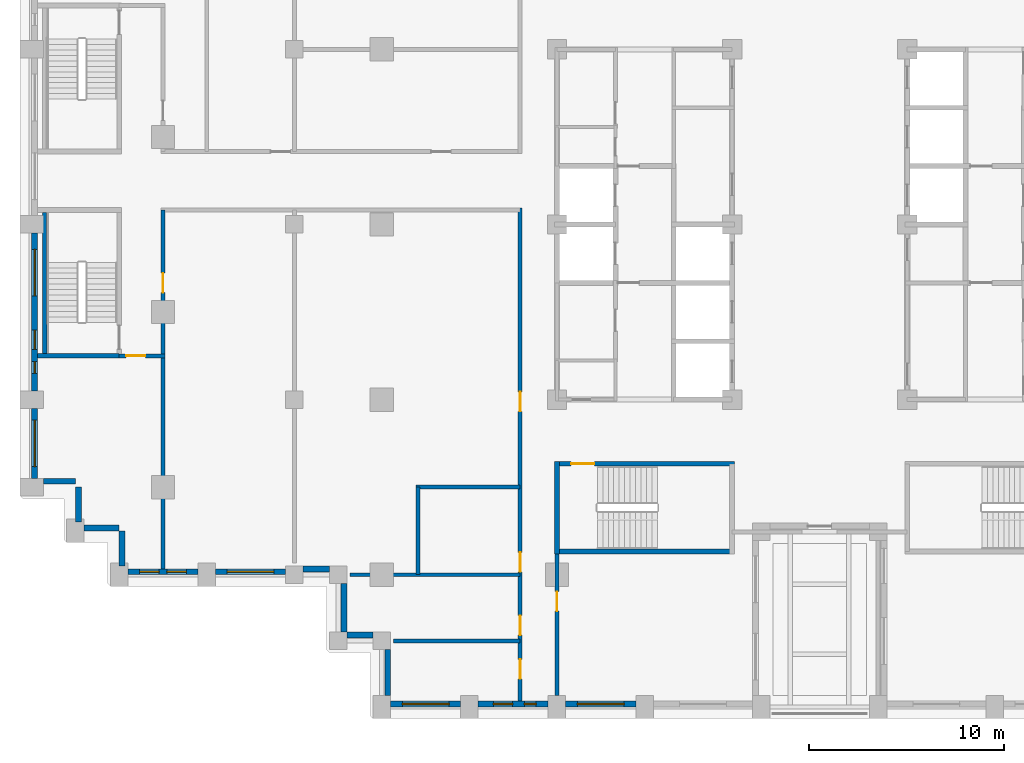
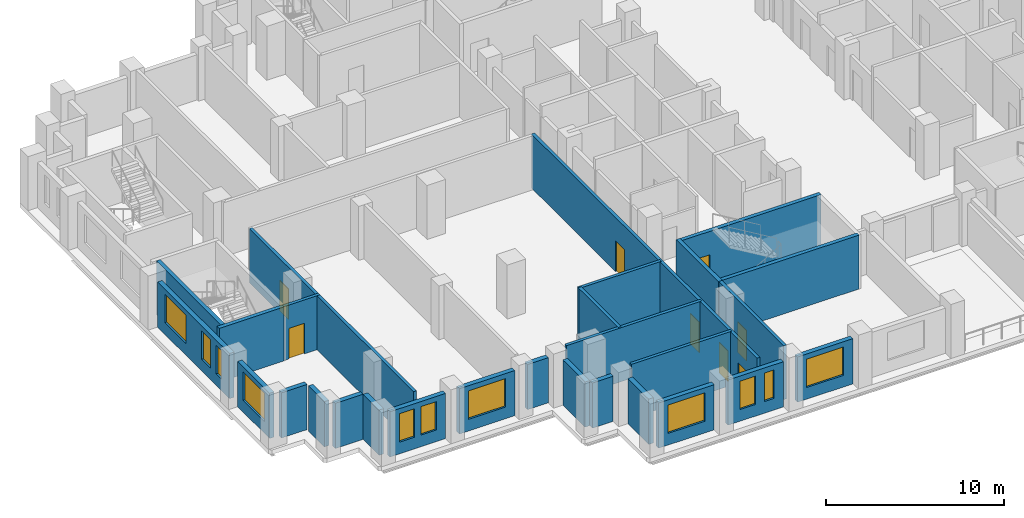
# One storey, part 3 of 13: 28 walls, 11 windows, 8 doors, 19 openings.
"""IFC4 building model written with IfcOpenShell, lengths in metres."""

import ifcopenshell
import ifcopenshell.guid

model = None  # the IFC model being written
_history = None  # IfcOwnerHistory: only IFC2X3 demands one
_inside = {}  # id of a spatial element -> (the spatial element, [elements in it])
_under = {}  # id of a project, library or spatial element -> (it, [spatial elements below it])
_declared = {}  # id of a project -> (the project, [libraries it declares])
_typed = {}  # id of a type object -> (the type object, [elements of that type])
_made_of = {}  # id of a material, layer set ... -> (it, [elements and type objects made of it])


def new_model(schema):
    """Start an empty IFC model of exactly this schema.

    Asked for "IFC4X3", IfcOpenShell would pick the latest addendum, in which some entities
    have other attributes; the version numbers below select the first issue.
    IFC2X3 requires an IfcOwnerHistory on every rooted entity: one is made here for all.
    """
    global model, _history
    if schema == "IFC4X3":
        model = ifcopenshell.file(schema_version=(4, 3, 0, 0))
    else:
        model = ifcopenshell.file(schema=schema)
    _inside.clear()
    _under.clear()
    _declared.clear()
    _typed.clear()
    _made_of.clear()
    _history = None
    if model.schema == "IFC2X3":
        org = make("IfcOrganization", Name="unknown")
        user = make(
            "IfcPersonAndOrganization",
            ThePerson=make("IfcPerson", FamilyName="unknown"),
            TheOrganization=org,
        )
        app = make(
            "IfcApplication",
            ApplicationDeveloper=org,
            Version="unknown",
            ApplicationFullName="unknown",
            ApplicationIdentifier="unknown",
        )
        _history = make(
            "IfcOwnerHistory",
            OwningUser=user,
            OwningApplication=app,
            ChangeAction="ADDED",
            CreationDate=0,
        )
    return model


def make(cls, **values):
    """One entity of the class cls with the attributes given. An attribute that is None is left unset."""
    return model.create_entity(
        cls, **{name: value for name, value in values.items() if value is not None}
    )


def rooted(cls, **values):
    """An entity with a GlobalId (a new one), such as an element, a storey or a relation."""
    return make(cls, GlobalId=ifcopenshell.guid.new(), OwnerHistory=_history, **values)


def si_unit(unit_type, name, prefix=None):
    """IfcSIUnit, for example si_unit("LENGTHUNIT", "METRE", prefix="MILLI")."""
    return make("IfcSIUnit", UnitType=unit_type, Prefix=prefix, Name=name)


def assignment(units):
    """IfcUnitAssignment: the units of a project."""
    return None if units is None else make("IfcUnitAssignment", Units=units)


def point(xyz):
    """IfcCartesianPoint."""
    return None if xyz is None else make("IfcCartesianPoint", Coordinates=xyz)


def direction(xyz):
    """IfcDirection."""
    return None if xyz is None else make("IfcDirection", DirectionRatios=xyz)


def frame(location, z_axis=None, x_axis=None):
    """IfcAxis2Placement3D, a coordinate frame: its origin and axes. An axis left out is left unset."""
    return make(
        "IfcAxis2Placement3D",
        Location=point(location),
        Axis=direction(z_axis),
        RefDirection=direction(x_axis),
    )


def frame_2d(location, x_axis=None):
    """IfcAxis2Placement2D, a coordinate frame in the plane: its origin and x axis."""
    return make(
        "IfcAxis2Placement2D", Location=point(location), RefDirection=direction(x_axis)
    )


def origin():
    """The frame at (0, 0, 0) with its axes left unset."""
    return frame((0.0, 0.0, 0.0))


def place(relative_to, where):
    """IfcLocalPlacement: puts the frame where relative to a parent placement (None: the world)."""
    return make(
        "IfcLocalPlacement", PlacementRelTo=relative_to, RelativePlacement=where
    )


def context(
    kind, dimensions, precision=None, world=None, true_north=None, identifier=None
):
    """IfcGeometricRepresentationContext, for example the 3D "Model" context."""
    return make(
        "IfcGeometricRepresentationContext",
        ContextIdentifier=identifier,
        ContextType=kind,
        CoordinateSpaceDimension=dimensions,
        Precision=precision,
        WorldCoordinateSystem=world,
        TrueNorth=true_north,
    )


def subcontext(parent, identifier, kind, view, scale=None):
    """IfcGeometricRepresentationSubContext, for example "Body" below "Model"."""
    return make(
        "IfcGeometricRepresentationSubContext",
        ContextIdentifier=identifier,
        ContextType=kind,
        ParentContext=parent,
        TargetScale=scale,
        TargetView=view,
    )


def project(units=None, contexts=None):
    """IfcProject with its units and contexts."""
    return rooted(
        "IfcProject",
        Name="project",
        RepresentationContexts=contexts,
        UnitsInContext=assignment(units),
    )


def spatial(cls, under=None, at=None, **own):
    """A site, building, storey or space (cls), placed at a placement, below another one or the project."""
    s = rooted(cls, ObjectPlacement=at, **own)
    if under is not None:
        _under.setdefault(under.id(), (under, []))[1].append(s)
    return s


def profile(cls, at=None, kind="AREA", **sizes):
    """A parametric profile (cls). Its sizes go by their IFC names, for example OverallWidth=200.0."""
    return make(cls, ProfileType=kind, Position=at, **sizes)


def rectangle(**sizes):
    """IfcRectangleProfileDef."""
    return profile("IfcRectangleProfileDef", **sizes)


def extrude(swept, where, along, depth):
    """IfcExtrudedAreaSolid: the profile swept, set in the frame where, extruded along a direction by depth."""
    return make(
        "IfcExtrudedAreaSolid",
        SweptArea=swept,
        Position=where,
        ExtrudedDirection=direction(along),
        Depth=depth,
    )


def shape(context_of_items, identifier, shape_type, items):
    """IfcShapeRepresentation: the items that make up one representation, for example the "Body"."""
    return make(
        "IfcShapeRepresentation",
        ContextOfItems=context_of_items,
        RepresentationIdentifier=identifier,
        RepresentationType=shape_type,
        Items=items,
    )


def material(Name=None, Category=None):
    """IfcMaterial."""
    return make("IfcMaterial", Name=Name, Category=Category)


def layer(
    of_material, thickness, ventilated=None, Name=None, Category=None, Priority=None
):
    """IfcMaterialLayer: one layer of a wall or slab, of a material (None: an air gap)."""
    return make(
        "IfcMaterialLayer",
        Material=of_material,
        LayerThickness=thickness,
        IsVentilated=ventilated,
        Name=Name,
        Category=Category,
        Priority=Priority,
    )


def layer_set(layers, Name=None):
    """IfcMaterialLayerSet."""
    return make("IfcMaterialLayerSet", MaterialLayers=layers, LayerSetName=Name)


def made_of(thing, what):
    """Note that an element or type object is made of a material, layer set ...; save() writes the relation."""
    if what is not None:
        _made_of.setdefault(what.id(), (what, []))[1].append(thing)
    return thing


def type_object(cls, material=None, **own):
    """A type object (cls), such as IfcWallType, which elements share."""
    return made_of(rooted(cls, **own), material)


def element(
    cls,
    number,
    at=None,
    inside=None,
    cuts=None,
    type_object=None,
    material=None,
    context=None,
    identifier="Body",
    shape_type=None,
    held_by="IfcProductDefinitionShape",
    body=None,
    shapes=None,
    **own,
):
    """One element of the class cls, such as IfcWall. Its Tag is "e" and its number.

    at: its placement. inside: the storey or other place that contains it. cuts: it is an
    opening in that element (IfcRelVoidsElement). A single representation is given by context,
    identifier, shape_type and body (its items); several are given by shapes. held_by: the class
    of the entity that holds the representations. save() writes the other relations.
    """
    e = rooted(cls, Tag="e%d" % number, ObjectPlacement=at, **own)
    if body is not None:
        shapes = [shape(context, identifier, shape_type, body)]
    if shapes is not None:
        e.Representation = make(held_by, Representations=shapes)
    if inside is not None:
        _inside.setdefault(inside.id(), (inside, []))[1].append(e)
    if cuts is not None:
        rooted(
            "IfcRelVoidsElement", RelatingBuildingElement=cuts, RelatedOpeningElement=e
        )
    if type_object is not None:
        _typed.setdefault(type_object.id(), (type_object, []))[1].append(e)
    return made_of(e, material)


def fill(opening, filler):
    """IfcRelFillsElement: the door or window that sits in an opening."""
    return rooted(
        "IfcRelFillsElement",
        RelatingOpeningElement=opening,
        RelatedBuildingElement=filler,
    )


def aggregate(whole, parts):
    """IfcRelAggregates: a whole, such as a stair, and the parts it consists of."""
    return rooted("IfcRelAggregates", RelatingObject=whole, RelatedObjects=parts)


def save(model, path):
    """Write the relations noted so far, then the file.

    IfcRelAggregates (storeys below a building ...), IfcRelContainedInSpatialStructure (elements
    in a storey), IfcRelDefinesByType, IfcRelAssociatesMaterial and IfcRelDeclares: one each for
    every whole, place, type object, material and project.
    """
    for whole, parts in _under.values():
        aggregate(whole, parts)
    for where, things in _inside.values():
        rooted(
            "IfcRelContainedInSpatialStructure",
            RelatedElements=things,
            RelatingStructure=where,
        )
    for kind, things in _typed.values():
        rooted("IfcRelDefinesByType", RelatedObjects=things, RelatingType=kind)
    for what, things in _made_of.values():
        rooted("IfcRelAssociatesMaterial", RelatedObjects=things, RelatingMaterial=what)
    for by, libraries in _declared.values():
        rooted("IfcRelDeclares", RelatingContext=by, RelatedDefinitions=libraries)
    model.write(path)


model = new_model("IFC4")

# Units and contexts
model_context = context("Model", 3, precision=1e-05, world=origin(), true_north=direction((0.0, 1.0)))
body_context = subcontext(model_context, "Body", "Model", "MODEL_VIEW")
ifc_project = project(units=[si_unit("LENGTHUNIT", "METRE"), si_unit("AREAUNIT", "SQUARE_METRE"), si_unit("VOLUMEUNIT", "CUBIC_METRE"), si_unit("PLANEANGLEUNIT", "RADIAN"), si_unit("MASSUNIT", "GRAM", prefix="KILO")], contexts=[model_context])

# Site, building, storey
site_placement = place(None, origin())
site = spatial("IfcSite", under=ifc_project, at=site_placement, CompositionType="ELEMENT")
building_placement = place(site_placement, origin())
building = spatial("IfcBuilding", under=site, at=building_placement, Name="Corbelhall Arena Tower", CompositionType="ELEMENT")
storey_placement = place(building_placement, frame((0.0, 0.0, 68.0)))
storey = spatial("IfcBuildingStorey", under=building, at=storey_placement, Name="L09", CompositionType="ELEMENT", Elevation=68.0)

# Walls
ifc_material_1 = material(Name="Precast concrete C40/50 with granite facing", Category="masonry")
ifc_layer_1 = layer(ifc_material_1, 0.300048828125)
ifc_layer_set_1 = layer_set([ifc_layer_1], Name="EV-IW1 Infill panel 300")
wall_type_1 = type_object("IfcWallType", Name="EV-IW1 Infill panel 300", PredefinedType="SOLIDWALL", material=ifc_layer_set_1)
wall_1_placement = place(storey_placement, frame((-39.89990234375, -13.199951171875, 0.0), z_axis=(0.0, 0.0, 1.0), x_axis=(1.0, 0.0, 0.0)))
element("IfcWall", 1, at=wall_1_placement, inside=storey, type_object=wall_type_1, Name="Infill panel IW1", PredefinedType="SOLIDWALL", context=body_context, shape_type="SweptSolid", body=[
    extrude(rectangle(XDim=1.64990234375, YDim=0.300048828125, at=frame_2d((0.824951171875, 0.0))), origin(), (0.0, 0.0, 1.0), 3.10009765625),
])
for number, where, z_axis, x_axis, name in (
    (2, (-38.10009765625, -15.300048828125, 0.0), (0.0, 0.0, 1.0), (0.0, 1.0, 0.0), "Infill panel IW1"),
    (3, (-37.800048828125, -15.60009765625, 0.0), (0.0, 0.0, 1.0), (1.0, 0.0, 0.0), "Infill panel IW1"),
    (4, (-35.85009765625, -17.550048828125, 0.0), (0.0, 0.0, 1.0), (0.0, 1.0, 0.0), "Infill panel IW1"),
):
    element("IfcWall", number, at=place(storey_placement, frame(where, z_axis=z_axis, x_axis=x_axis)), inside=storey, type_object=wall_type_1, Name=name, PredefinedType="SOLIDWALL", context=body_context, shape_type="SweptSolid", body=[
        extrude(rectangle(XDim=1.800048828125, YDim=0.300048828125, at=frame_2d((0.89990234375, 0.0))), origin(), (0.0, 0.0, 1.0), 3.10009765625),
    ])

# Wall, openings, windows
wall_2_placement = place(storey_placement, frame((-40.35009765625, -0.449951171875, 0.0), z_axis=(0.0, 0.0, 1.0), x_axis=(0.0, -1.0, 0.0)))
wall_2 = element("IfcWall", 5, at=wall_2_placement, inside=storey, type_object=wall_type_1, Name="Infill panel IW1", PredefinedType="SOLIDWALL", context=body_context, shape_type="SweptSolid", body=[
    extrude(rectangle(XDim=8.10009765625, YDim=0.300048828125, at=frame_2d((4.050048828125, 0.0))), origin(), (0.0, 0.0, 1.0), 3.10009765625),
])
opening_1_placement = place(wall_2_placement, frame((0.824951171875, 0.0, 0.800048828125)))
opening_1 = element("IfcOpeningElement", 6, at=opening_1_placement, cuts=wall_2, Name="Opening WN1", PredefinedType="OPENING", context=body_context, shape_type="SweptSolid", body=[
    extrude(rectangle(XDim=2.39990234375, YDim=1.949951171875, at=frame_2d((1.199951171875, 0.97509765625))), frame((0.0, 0.14990234375, 0.0), z_axis=(0.0, -1.0, 0.0), x_axis=(1.0, 0.0, 0.0)), (0.0, 0.0, 1.0), 0.300048828125),
])
opening_2_placement = place(wall_2_placement, frame((4.97509765625, 0.0, 0.800048828125)))
opening_2 = element("IfcOpeningElement", 7, at=opening_2_placement, cuts=wall_2, Name="Opening WN6", PredefinedType="OPENING", context=body_context, shape_type="SweptSolid", body=[
    extrude(rectangle(XDim=1.0, YDim=1.949951171875, at=frame_2d((0.5, 0.97509765625))), frame((0.0, 0.14990234375, 0.0), z_axis=(0.0, -1.0, 0.0), x_axis=(1.0, 0.0, 0.0)), (0.0, 0.0, 1.0), 0.300048828125),
])
opening_3_placement = place(wall_2_placement, frame((6.60009765625, 0.0, 0.800048828125)))
opening_3 = element("IfcOpeningElement", 8, at=opening_3_placement, cuts=wall_2, Name="Opening WN5", PredefinedType="OPENING", context=body_context, shape_type="SweptSolid", body=[
    extrude(rectangle(XDim=0.60009765625, YDim=1.949951171875, at=frame_2d((0.300048828125, 0.97509765625))), frame((0.0, 0.14990234375, 0.0), z_axis=(0.0, -1.0, 0.0), x_axis=(1.0, 0.0, 0.0)), (0.0, 0.0, 1.0), 0.300048828125),
])
ifc_material_2 = material(Name="Aluminium black anodised", Category="aluminium")
window_type_1 = type_object("IfcWindowType", Name="EV-WN1 Office window", PartitioningType="SINGLE_PANEL", PredefinedType="WINDOW", material=ifc_material_2)
window_1_placement = place(opening_1_placement, origin())
window_1 = element("IfcWindow", 9, at=window_1_placement, inside=storey, type_object=window_type_1, Name="Window WN1", OverallHeight=1.949951171875, OverallWidth=2.39990234375, PartitioningType="SINGLE_PANEL", PredefinedType="WINDOW", context=body_context, shape_type="SweptSolid", body=[
    extrude(rectangle(XDim=2.39990234375, YDim=1.949951171875, at=frame_2d((1.199951171875, 0.97509765625))), frame((0.0, 0.030029296875, 0.0), z_axis=(0.0, -1.0, 0.0), x_axis=(1.0, 0.0, 0.0)), (0.0, 0.0, 1.0), 0.06005859375),
])
fill(opening_1, window_1)
window_type_2 = type_object("IfcWindowType", Name="EV-WN5 Office window 600", PartitioningType="SINGLE_PANEL", PredefinedType="WINDOW", material=ifc_material_2)
window_2_placement = place(opening_3_placement, origin())
window_2 = element("IfcWindow", 10, at=window_2_placement, inside=storey, type_object=window_type_2, Name="Window WN5", OverallHeight=1.949951171875, OverallWidth=0.60009765625, PartitioningType="SINGLE_PANEL", PredefinedType="WINDOW", context=body_context, shape_type="SweptSolid", body=[
    extrude(rectangle(XDim=0.60009765625, YDim=1.949951171875, at=frame_2d((0.300048828125, 0.97509765625))), frame((0.0, 0.030029296875, 0.0), z_axis=(0.0, -1.0, 0.0), x_axis=(1.0, 0.0, 0.0)), (0.0, 0.0, 1.0), 0.06005859375),
])
fill(opening_3, window_2)
window_type_3 = type_object("IfcWindowType", Name="EV-WN6 Office window 1000", PartitioningType="SINGLE_PANEL", PredefinedType="WINDOW", material=ifc_material_2)
window_3_placement = place(opening_2_placement, origin())
window_3 = element("IfcWindow", 11, at=window_3_placement, inside=storey, type_object=window_type_3, Name="Window WN6", OverallHeight=1.949951171875, OverallWidth=1.0, PartitioningType="SINGLE_PANEL", PredefinedType="WINDOW", context=body_context, shape_type="SweptSolid", body=[
    extrude(rectangle(XDim=1.0, YDim=1.949951171875, at=frame_2d((0.5, 0.97509765625))), frame((0.0, 0.030029296875, 0.0), z_axis=(0.0, -1.0, 0.0), x_axis=(1.0, 0.0, 0.0)), (0.0, 0.0, 1.0), 0.06005859375),
])
fill(opening_2, window_3)

# Wall, opening, window
wall_3_placement = place(storey_placement, frame((-40.35009765625, -9.449951171875, 0.0), z_axis=(0.0, 0.0, 1.0), x_axis=(0.0, -1.0, 0.0)))
wall_3 = element("IfcWall", 12, at=wall_3_placement, inside=storey, type_object=wall_type_1, Name="Infill panel IW1", PredefinedType="SOLIDWALL", context=body_context, shape_type="SweptSolid", body=[
    extrude(rectangle(XDim=3.60009765625, YDim=0.300048828125, at=frame_2d((1.800048828125, 0.0))), origin(), (0.0, 0.0, 1.0), 3.10009765625),
])
opening_4_placement = place(wall_3_placement, frame((0.60009765625, 0.0, 0.800048828125)))
opening_4 = element("IfcOpeningElement", 13, at=opening_4_placement, cuts=wall_3, Name="Opening WN1", PredefinedType="OPENING", context=body_context, shape_type="SweptSolid", body=[
    extrude(rectangle(XDim=2.39990234375, YDim=1.949951171875, at=frame_2d((1.199951171875, 0.97509765625))), frame((0.0, 0.14990234375, 0.0), z_axis=(0.0, -1.0, 0.0), x_axis=(1.0, 0.0, 0.0)), (0.0, 0.0, 1.0), 0.300048828125),
])
window_4_placement = place(opening_4_placement, origin())
window_4 = element("IfcWindow", 14, at=window_4_placement, inside=storey, type_object=window_type_1, Name="Window WN1", OverallHeight=1.949951171875, OverallWidth=2.39990234375, PartitioningType="SINGLE_PANEL", PredefinedType="WINDOW", context=body_context, shape_type="SweptSolid", body=[
    extrude(rectangle(XDim=2.39990234375, YDim=1.949951171875, at=frame_2d((1.199951171875, 0.97509765625))), frame((0.0, 0.030029296875, 0.0), z_axis=(0.0, -1.0, 0.0), x_axis=(1.0, 0.0, 0.0)), (0.0, 0.0, 1.0), 0.06005859375),
])
fill(opening_4, window_4)

# Wall, openings, windows
wall_4_placement = place(storey_placement, frame((-35.550048828125, -17.85009765625, 0.0), z_axis=(0.0, 0.0, 1.0), x_axis=(1.0, 0.0, 0.0)))
wall_4 = element("IfcWall", 15, at=wall_4_placement, inside=storey, type_object=wall_type_1, Name="Infill panel IW1", PredefinedType="SOLIDWALL", context=body_context, shape_type="SweptSolid", body=[
    extrude(rectangle(XDim=3.60009765625, YDim=0.300048828125, at=frame_2d((1.800048828125, 0.0))), origin(), (0.0, 0.0, 1.0), 3.10009765625),
])
opening_5_placement = place(wall_4_placement, frame((0.60009765625, 0.0, 0.800048828125)))
opening_5 = element("IfcOpeningElement", 16, at=opening_5_placement, cuts=wall_4, Name="Opening WN6", PredefinedType="OPENING", context=body_context, shape_type="SweptSolid", body=[
    extrude(rectangle(XDim=1.0, YDim=1.949951171875, at=frame_2d((0.5, 0.97509765625))), frame((0.0, 0.14990234375, 0.0), z_axis=(0.0, -1.0, 0.0), x_axis=(1.0, 0.0, 0.0)), (0.0, 0.0, 1.0), 0.300048828125),
])
opening_6_placement = place(wall_4_placement, frame((2.0, 0.0, 0.800048828125)))
opening_6 = element("IfcOpeningElement", 17, at=opening_6_placement, cuts=wall_4, Name="Opening WN6", PredefinedType="OPENING", context=body_context, shape_type="SweptSolid", body=[
    extrude(rectangle(XDim=1.0, YDim=1.949951171875, at=frame_2d((0.5, 0.97509765625))), frame((0.0, 0.14990234375, 0.0), z_axis=(0.0, -1.0, 0.0), x_axis=(1.0, 0.0, 0.0)), (0.0, 0.0, 1.0), 0.300048828125),
])
window_5_placement = place(opening_5_placement, origin())
window_5 = element("IfcWindow", 18, at=window_5_placement, inside=storey, type_object=window_type_3, Name="Window WN6", OverallHeight=1.949951171875, OverallWidth=1.0, PartitioningType="SINGLE_PANEL", PredefinedType="WINDOW", context=body_context, shape_type="SweptSolid", body=[
    extrude(rectangle(XDim=1.0, YDim=1.949951171875, at=frame_2d((0.5, 0.97509765625))), frame((0.0, 0.030029296875, 0.0), z_axis=(0.0, -1.0, 0.0), x_axis=(1.0, 0.0, 0.0)), (0.0, 0.0, 1.0), 0.06005859375),
])
fill(opening_5, window_5)
window_6_placement = place(opening_6_placement, origin())
window_6 = element("IfcWindow", 19, at=window_6_placement, inside=storey, type_object=window_type_3, Name="Window WN6", OverallHeight=1.949951171875, OverallWidth=1.0, PartitioningType="SINGLE_PANEL", PredefinedType="WINDOW", context=body_context, shape_type="SweptSolid", body=[
    extrude(rectangle(XDim=1.0, YDim=1.949951171875, at=frame_2d((0.5, 0.97509765625))), frame((0.0, 0.030029296875, 0.0), z_axis=(0.0, -1.0, 0.0), x_axis=(1.0, 0.0, 0.0)), (0.0, 0.0, 1.0), 0.06005859375),
])
fill(opening_6, window_6)

# Wall, opening, window
wall_5_placement = place(storey_placement, frame((-31.050048828125, -17.85009765625, 0.0), z_axis=(0.0, 0.0, 1.0), x_axis=(1.0, 0.0, 0.0)))
wall_5 = element("IfcWall", 20, at=wall_5_placement, inside=storey, type_object=wall_type_1, Name="Infill panel IW1", PredefinedType="SOLIDWALL", context=body_context, shape_type="SweptSolid", body=[
    extrude(rectangle(XDim=3.60009765625, YDim=0.300048828125, at=frame_2d((1.800048828125, 0.0))), origin(), (0.0, 0.0, 1.0), 3.10009765625),
])
opening_7_placement = place(wall_5_placement, frame((0.60009765625, 0.0, 0.800048828125)))
opening_7 = element("IfcOpeningElement", 21, at=opening_7_placement, cuts=wall_5, Name="Opening WN1", PredefinedType="OPENING", context=body_context, shape_type="SweptSolid", body=[
    extrude(rectangle(XDim=2.39990234375, YDim=1.949951171875, at=frame_2d((1.199951171875, 0.97509765625))), frame((0.0, 0.14990234375, 0.0), z_axis=(0.0, -1.0, 0.0), x_axis=(1.0, 0.0, 0.0)), (0.0, 0.0, 1.0), 0.300048828125),
])
window_7_placement = place(opening_7_placement, origin())
window_7 = element("IfcWindow", 22, at=window_7_placement, inside=storey, type_object=window_type_1, Name="Window WN1", OverallHeight=1.949951171875, OverallWidth=2.39990234375, PartitioningType="SINGLE_PANEL", PredefinedType="WINDOW", context=body_context, shape_type="SweptSolid", body=[
    extrude(rectangle(XDim=2.39990234375, YDim=1.949951171875, at=frame_2d((1.199951171875, 0.97509765625))), frame((0.0, 0.030029296875, 0.0), z_axis=(0.0, -1.0, 0.0), x_axis=(1.0, 0.0, 0.0)), (0.0, 0.0, 1.0), 0.06005859375),
])
fill(opening_7, window_7)

# Walls
wall_6_placement = place(storey_placement, frame((-26.550048828125, -17.699951171875, 0.0), z_axis=(0.0, 0.0, 1.0), x_axis=(1.0, 0.0, 0.0)))
element("IfcWall", 23, at=wall_6_placement, inside=storey, type_object=wall_type_1, Name="Infill panel IW1", PredefinedType="SOLIDWALL", context=body_context, shape_type="SweptSolid", body=[
    extrude(rectangle(XDim=1.35009765625, YDim=0.300048828125, at=frame_2d((0.675048828125, 0.0))), origin(), (0.0, 0.0, 1.0), 3.10009765625),
])
wall_7_placement = place(storey_placement, frame((-24.449951171875, -18.449951171875, 0.0), z_axis=(0.0, 0.0, 1.0), x_axis=(0.0, -1.0, 0.0)))
element("IfcWall", 24, at=wall_7_placement, inside=storey, type_object=wall_type_1, Name="Infill panel IW1", PredefinedType="SOLIDWALL", context=body_context, shape_type="SweptSolid", body=[
    extrude(rectangle(XDim=2.5, YDim=0.300048828125, at=frame_2d((1.25, 0.0))), origin(), (0.0, 0.0, 1.0), 3.10009765625),
])
wall_8_placement = place(storey_placement, frame((-24.300048828125, -21.10009765625, 0.0), z_axis=(0.0, 0.0, 1.0), x_axis=(1.0, 0.0, 0.0)))
element("IfcWall", 25, at=wall_8_placement, inside=storey, type_object=wall_type_1, Name="Infill panel IW1", PredefinedType="SOLIDWALL", context=body_context, shape_type="SweptSolid", body=[
    extrude(rectangle(XDim=1.35009765625, YDim=0.300048828125, at=frame_2d((0.675048828125, 0.0))), origin(), (0.0, 0.0, 1.0), 3.10009765625),
])
wall_9_placement = place(storey_placement, frame((-22.199951171875, -21.85009765625, 0.0), z_axis=(0.0, 0.0, 1.0), x_axis=(0.0, -1.0, 0.0)))
element("IfcWall", 26, at=wall_9_placement, inside=storey, type_object=wall_type_1, Name="Infill panel IW1", PredefinedType="SOLIDWALL", context=body_context, shape_type="SweptSolid", body=[
    extrude(rectangle(XDim=2.349853515625, YDim=0.300048828125, at=frame_2d((1.1748046875, 0.0))), origin(), (0.0, 0.0, 1.0), 3.10009765625),
])

# Wall, opening, window
wall_10_placement = place(storey_placement, frame((-22.050048828125, -24.64990234375, 0.0), z_axis=(0.0, 0.0, 1.0), x_axis=(1.0, 0.0, 0.0)))
wall_10 = element("IfcWall", 27, at=wall_10_placement, inside=storey, type_object=wall_type_1, Name="Infill panel IW1", PredefinedType="SOLIDWALL", context=body_context, shape_type="SweptSolid", body=[
    extrude(rectangle(XDim=3.60009765625, YDim=0.300048828125, at=frame_2d((1.800048828125, 0.0))), origin(), (0.0, 0.0, 1.0), 3.10009765625),
])
opening_8_placement = place(wall_10_placement, frame((0.60009765625, 0.0, 0.800048828125)))
opening_8 = element("IfcOpeningElement", 28, at=opening_8_placement, cuts=wall_10, Name="Opening WN1", PredefinedType="OPENING", context=body_context, shape_type="SweptSolid", body=[
    extrude(rectangle(XDim=2.39990234375, YDim=1.949951171875, at=frame_2d((1.199951171875, 0.97509765625))), frame((0.0, 0.14990234375, 0.0), z_axis=(0.0, -1.0, 0.0), x_axis=(1.0, 0.0, 0.0)), (0.0, 0.0, 1.0), 0.300048828125),
])
window_8_placement = place(opening_8_placement, origin())
window_8 = element("IfcWindow", 29, at=window_8_placement, inside=storey, type_object=window_type_1, Name="Window WN1", OverallHeight=1.949951171875, OverallWidth=2.39990234375, PartitioningType="SINGLE_PANEL", PredefinedType="WINDOW", context=body_context, shape_type="SweptSolid", body=[
    extrude(rectangle(XDim=2.39990234375, YDim=1.949951171875, at=frame_2d((1.199951171875, 0.97509765625))), frame((0.0, 0.030029296875, 0.0), z_axis=(0.0, -1.0, 0.0), x_axis=(1.0, 0.0, 0.0)), (0.0, 0.0, 1.0), 0.06005859375),
])
fill(opening_8, window_8)

# Wall, openings, windows
wall_11_placement = place(storey_placement, frame((-17.550048828125, -24.64990234375, 0.0), z_axis=(0.0, 0.0, 1.0), x_axis=(1.0, 0.0, 0.0)))
wall_11 = element("IfcWall", 30, at=wall_11_placement, inside=storey, type_object=wall_type_1, Name="Infill panel IW1", PredefinedType="SOLIDWALL", context=body_context, shape_type="SweptSolid", body=[
    extrude(rectangle(XDim=3.60009765625, YDim=0.300048828125, at=frame_2d((1.800048828125, 0.0))), origin(), (0.0, 0.0, 1.0), 3.10009765625),
])
opening_9_placement = place(wall_11_placement, frame((0.77490234375, 0.0, 0.800048828125)))
opening_9 = element("IfcOpeningElement", 31, at=opening_9_placement, cuts=wall_11, Name="Opening WN6", PredefinedType="OPENING", context=body_context, shape_type="SweptSolid", body=[
    extrude(rectangle(XDim=1.0, YDim=1.949951171875, at=frame_2d((0.5, 0.97509765625))), frame((0.0, 0.14990234375, 0.0), z_axis=(0.0, -1.0, 0.0), x_axis=(1.0, 0.0, 0.0)), (0.0, 0.0, 1.0), 0.300048828125),
])
opening_10_placement = place(wall_11_placement, frame((2.375, 0.0, 0.800048828125)))
opening_10 = element("IfcOpeningElement", 32, at=opening_10_placement, cuts=wall_11, Name="Opening WN5", PredefinedType="OPENING", context=body_context, shape_type="SweptSolid", body=[
    extrude(rectangle(XDim=0.60009765625, YDim=1.949951171875, at=frame_2d((0.300048828125, 0.97509765625))), frame((0.0, 0.14990234375, 0.0), z_axis=(0.0, -1.0, 0.0), x_axis=(1.0, 0.0, 0.0)), (0.0, 0.0, 1.0), 0.300048828125),
])
window_9_placement = place(opening_10_placement, origin())
window_9 = element("IfcWindow", 33, at=window_9_placement, inside=storey, type_object=window_type_2, Name="Window WN5", OverallHeight=1.949951171875, OverallWidth=0.60009765625, PartitioningType="SINGLE_PANEL", PredefinedType="WINDOW", context=body_context, shape_type="SweptSolid", body=[
    extrude(rectangle(XDim=0.60009765625, YDim=1.949951171875, at=frame_2d((0.300048828125, 0.97509765625))), frame((0.0, 0.030029296875, 0.0), z_axis=(0.0, -1.0, 0.0), x_axis=(1.0, 0.0, 0.0)), (0.0, 0.0, 1.0), 0.06005859375),
])
fill(opening_10, window_9)
window_10_placement = place(opening_9_placement, origin())
window_10 = element("IfcWindow", 34, at=window_10_placement, inside=storey, type_object=window_type_3, Name="Window WN6", OverallHeight=1.949951171875, OverallWidth=1.0, PartitioningType="SINGLE_PANEL", PredefinedType="WINDOW", context=body_context, shape_type="SweptSolid", body=[
    extrude(rectangle(XDim=1.0, YDim=1.949951171875, at=frame_2d((0.5, 0.97509765625))), frame((0.0, 0.030029296875, 0.0), z_axis=(0.0, -1.0, 0.0), x_axis=(1.0, 0.0, 0.0)), (0.0, 0.0, 1.0), 0.06005859375),
])
fill(opening_9, window_10)

# Wall, opening, window
wall_12_placement = place(storey_placement, frame((-13.050048828125, -24.64990234375, 0.0), z_axis=(0.0, 0.0, 1.0), x_axis=(1.0, 0.0, 0.0)))
wall_12 = element("IfcWall", 35, at=wall_12_placement, inside=storey, type_object=wall_type_1, Name="Infill panel IW1", PredefinedType="SOLIDWALL", context=body_context, shape_type="SweptSolid", body=[
    extrude(rectangle(XDim=3.60009765625, YDim=0.300048828125, at=frame_2d((1.800048828125, 0.0))), origin(), (0.0, 0.0, 1.0), 3.10009765625),
])
opening_11_placement = place(wall_12_placement, frame((0.60009765625, 0.0, 0.800048828125)))
opening_11 = element("IfcOpeningElement", 36, at=opening_11_placement, cuts=wall_12, Name="Opening WN1", PredefinedType="OPENING", context=body_context, shape_type="SweptSolid", body=[
    extrude(rectangle(XDim=2.39990234375, YDim=1.949951171875, at=frame_2d((1.199951171875, 0.97509765625))), frame((0.0, 0.14990234375, 0.0), z_axis=(0.0, -1.0, 0.0), x_axis=(1.0, 0.0, 0.0)), (0.0, 0.0, 1.0), 0.300048828125),
])
window_11_placement = place(opening_11_placement, origin())
window_11 = element("IfcWindow", 37, at=window_11_placement, inside=storey, type_object=window_type_1, Name="Window WN1", OverallHeight=1.949951171875, OverallWidth=2.39990234375, PartitioningType="SINGLE_PANEL", PredefinedType="WINDOW", context=body_context, shape_type="SweptSolid", body=[
    extrude(rectangle(XDim=2.39990234375, YDim=1.949951171875, at=frame_2d((1.199951171875, 0.97509765625))), frame((0.0, 0.030029296875, 0.0), z_axis=(0.0, -1.0, 0.0), x_axis=(1.0, 0.0, 0.0)), (0.0, 0.0, 1.0), 0.06005859375),
])
fill(opening_11, window_11)

# Wall, opening, door
ifc_material_3 = material(Name="Gypsum board on steel stud, acoustic", Category="steel")
ifc_layer_2 = layer(ifc_material_3, 0.199951171875)
ifc_layer_set_2 = layer_set([ifc_layer_2], Name="IN-W-DM200")
wall_type_2 = type_object("IfcWallType", Name="IN-W-DM200", PredefinedType="PARTITIONING", material=ifc_layer_set_2)
wall_13_placement = place(storey_placement, frame((-33.75, 0.75, 0.0), z_axis=(0.0, 0.0, 1.0), x_axis=(0.0, -1.0, 0.0)))
wall_13 = element("IfcWall", 38, at=wall_13_placement, inside=storey, type_object=wall_type_2, Name="Partition 003", PredefinedType="PARTITIONING", context=body_context, shape_type="SweptSolid", body=[
    extrude(rectangle(XDim=18.449951171875, YDim=0.199951171875, at=frame_2d((9.22509765625, 0.0))), origin(), (0.0, 0.0, 1.0), 3.699951171875),
])
opening_12_placement = place(wall_13_placement, frame((3.25, 0.0, 0.0)))
opening_12 = element("IfcOpeningElement", 39, at=opening_12_placement, cuts=wall_13, Name="Opening 01043", PredefinedType="OPENING", context=body_context, shape_type="SweptSolid", body=[
    extrude(rectangle(XDim=1.0, YDim=2.10009765625, at=frame_2d((0.5, 1.050048828125))), frame((0.0, 0.10009765625, 0.0), z_axis=(0.0, -1.0, 0.0), x_axis=(1.0, 0.0, 0.0)), (0.0, 0.0, 1.0), 0.199951171875),
])
ifc_material_4 = material(Name="Steel door set", Category="steel")
door_type_1 = type_object("IfcDoorType", Name="IN-D-SW100", OperationType="NOTDEFINED", PredefinedType="DOOR", material=ifc_material_4)
door_1_placement = place(opening_12_placement, origin())
door_1 = element("IfcDoor", 40, at=door_1_placement, inside=storey, type_object=door_type_1, Name="Door 043", OperationType="SINGLE_SWING_RIGHT", OverallHeight=2.10009765625, OverallWidth=1.0, PredefinedType="DOOR", context=body_context, shape_type="SweptSolid", body=[
    extrude(rectangle(XDim=1.0, YDim=2.10009765625, at=frame_2d((0.5, 1.050048828125))), frame((0.0, 0.02490234375, 0.0), z_axis=(0.0, -1.0, 0.0), x_axis=(1.0, 0.0, 0.0)), (0.0, 0.0, 1.0), 0.050048828125),
])
fill(opening_12, door_1)

wall_14_placement = place(storey_placement, frame((-33.64990234375, -6.75, 0.0), z_axis=(0.0, 0.0, 1.0), x_axis=(-1.0, 0.0, 0.0)))
wall_14 = element("IfcWall", 41, at=wall_14_placement, inside=storey, type_object=wall_type_2, Name="Partition 005", PredefinedType="PARTITIONING", context=body_context, shape_type="SweptSolid", body=[
    extrude(rectangle(XDim=2.35009765625, YDim=0.199951171875, at=frame_2d((1.175048828125, 0.0))), origin(), (0.0, 0.0, 1.0), 3.699951171875),
])
opening_13_placement = place(wall_14_placement, frame((1.0, 0.0, 0.0)))
opening_13 = element("IfcOpeningElement", 42, at=opening_13_placement, cuts=wall_14, Name="Opening 01042", PredefinedType="OPENING", context=body_context, shape_type="SweptSolid", body=[
    extrude(rectangle(XDim=1.0, YDim=2.10009765625, at=frame_2d((0.5, 1.050048828125))), frame((0.0, 0.10009765625, 0.0), z_axis=(0.0, -1.0, 0.0), x_axis=(1.0, 0.0, 0.0)), (0.0, 0.0, 1.0), 0.199951171875),
])
door_2_placement = place(opening_13_placement, origin())
door_2 = element("IfcDoor", 43, at=door_2_placement, inside=storey, type_object=door_type_1, Name="Door 042", OperationType="SINGLE_SWING_LEFT", OverallHeight=2.10009765625, OverallWidth=1.0, PredefinedType="DOOR", context=body_context, shape_type="SweptSolid", body=[
    extrude(rectangle(XDim=1.0, YDim=2.10009765625, at=frame_2d((0.5, 1.050048828125))), frame((0.0, 0.02490234375, 0.0), z_axis=(0.0, -1.0, 0.0), x_axis=(1.0, 0.0, 0.0)), (0.0, 0.0, 1.0), 0.050048828125),
])
fill(opening_13, door_2)

# Walls
wall_15_placement = place(storey_placement, frame((-24.14990234375, -18.0, 0.0), z_axis=(0.0, 0.0, 1.0), x_axis=(1.0, 0.0, 0.0)))
element("IfcWall", 44, at=wall_15_placement, inside=storey, type_object=wall_type_2, Name="Partition 011", PredefinedType="PARTITIONING", context=body_context, shape_type="SweptSolid", body=[
    extrude(rectangle(XDim=8.75, YDim=0.199951171875, at=frame_2d((4.375, 0.0))), origin(), (0.0, 0.0, 1.0), 3.699951171875),
])
wall_16_placement = place(storey_placement, frame((-21.89990234375, -21.39990234375, 0.0), z_axis=(0.0, 0.0, 1.0), x_axis=(1.0, 0.0, 0.0)))
element("IfcWall", 45, at=wall_16_placement, inside=storey, type_object=wall_type_2, Name="Partition 012", PredefinedType="PARTITIONING", context=body_context, shape_type="SweptSolid", body=[
    extrude(rectangle(XDim=6.5, YDim=0.199951171875, at=frame_2d((3.25, 0.0))), origin(), (0.0, 0.0, 1.0), 3.699951171875),
])
wall_17_placement = place(storey_placement, frame((-20.75, -13.5, 0.0), z_axis=(0.0, 0.0, 1.0), x_axis=(1.0, 0.0, 0.0)))
element("IfcWall", 46, at=wall_17_placement, inside=storey, type_object=wall_type_2, Name="Partition 014", PredefinedType="PARTITIONING", context=body_context, shape_type="SweptSolid", body=[
    extrude(rectangle(XDim=5.35009765625, YDim=0.199951171875, at=frame_2d((2.675048828125, 0.0))), origin(), (0.0, 0.0, 1.0), 3.699951171875),
])
wall_18_placement = place(storey_placement, frame((-20.64990234375, -18.0, 0.0), z_axis=(0.0, 0.0, 1.0), x_axis=(0.0, 1.0, 0.0)))
element("IfcWall", 47, at=wall_18_placement, inside=storey, type_object=wall_type_2, Name="Partition 015", PredefinedType="PARTITIONING", context=body_context, shape_type="SweptSolid", body=[
    extrude(rectangle(XDim=4.5, YDim=0.199951171875, at=frame_2d((2.25, 0.0))), origin(), (0.0, 0.0, 1.0), 3.699951171875),
])

# Wall, openings, doors
wall_19_placement = place(storey_placement, frame((-15.39990234375, -24.5, 0.0), z_axis=(0.0, 0.0, 1.0), x_axis=(0.0, 1.0, 0.0)))
wall_19 = element("IfcWall", 48, at=wall_19_placement, inside=storey, type_object=wall_type_2, Name="Partition 016", PredefinedType="PARTITIONING", context=body_context, shape_type="SweptSolid", body=[
    extrude(rectangle(XDim=25.35009765625, YDim=0.199951171875, at=frame_2d((12.675048828125, 0.0))), origin(), (0.0, 0.0, 1.0), 3.699951171875),
])
opening_14_placement = place(wall_19_placement, frame((1.14990234375, 0.0, 0.0)))
opening_14 = element("IfcOpeningElement", 49, at=opening_14_placement, cuts=wall_19, Name="Opening 01029", PredefinedType="OPENING", context=body_context, shape_type="SweptSolid", body=[
    extrude(rectangle(XDim=1.0, YDim=2.10009765625, at=frame_2d((0.5, 1.050048828125))), frame((0.0, 0.10009765625, 0.0), z_axis=(0.0, -1.0, 0.0), x_axis=(1.0, 0.0, 0.0)), (0.0, 0.0, 1.0), 0.199951171875),
])
opening_15_placement = place(wall_19_placement, frame((3.39990234375, 0.0, 0.0)))
opening_15 = element("IfcOpeningElement", 50, at=opening_15_placement, cuts=wall_19, Name="Opening 01030", PredefinedType="OPENING", context=body_context, shape_type="SweptSolid", body=[
    extrude(rectangle(XDim=1.0, YDim=2.10009765625, at=frame_2d((0.5, 1.050048828125))), frame((0.0, 0.10009765625, 0.0), z_axis=(0.0, -1.0, 0.0), x_axis=(1.0, 0.0, 0.0)), (0.0, 0.0, 1.0), 0.199951171875),
])
opening_16_placement = place(wall_19_placement, frame((6.64990234375, 0.0, 0.0)))
opening_16 = element("IfcOpeningElement", 51, at=opening_16_placement, cuts=wall_19, Name="Opening 01031", PredefinedType="OPENING", context=body_context, shape_type="SweptSolid", body=[
    extrude(rectangle(XDim=1.0, YDim=2.10009765625, at=frame_2d((0.5, 1.050048828125))), frame((0.0, 0.10009765625, 0.0), z_axis=(0.0, -1.0, 0.0), x_axis=(1.0, 0.0, 0.0)), (0.0, 0.0, 1.0), 0.199951171875),
])
opening_17_placement = place(wall_19_placement, frame((14.89990234375, 0.0, 0.0)))
opening_17 = element("IfcOpeningElement", 52, at=opening_17_placement, cuts=wall_19, Name="Opening 01032", PredefinedType="OPENING", context=body_context, shape_type="SweptSolid", body=[
    extrude(rectangle(XDim=1.0, YDim=2.10009765625, at=frame_2d((0.5, 1.050048828125))), frame((0.0, 0.10009765625, 0.0), z_axis=(0.0, -1.0, 0.0), x_axis=(1.0, 0.0, 0.0)), (0.0, 0.0, 1.0), 0.199951171875),
])
door_3_placement = place(opening_14_placement, origin())
door_3 = element("IfcDoor", 53, at=door_3_placement, inside=storey, type_object=door_type_1, Name="Door 029", OperationType="SINGLE_SWING_RIGHT", OverallHeight=2.10009765625, OverallWidth=1.0, PredefinedType="DOOR", context=body_context, shape_type="SweptSolid", body=[
    extrude(rectangle(XDim=1.0, YDim=2.10009765625, at=frame_2d((0.5, 1.050048828125))), frame((0.0, 0.02490234375, 0.0), z_axis=(0.0, -1.0, 0.0), x_axis=(1.0, 0.0, 0.0)), (0.0, 0.0, 1.0), 0.050048828125),
])
fill(opening_14, door_3)
door_4_placement = place(opening_15_placement, origin())
door_4 = element("IfcDoor", 54, at=door_4_placement, inside=storey, type_object=door_type_1, Name="Door 030", OperationType="SINGLE_SWING_LEFT", OverallHeight=2.10009765625, OverallWidth=1.0, PredefinedType="DOOR", context=body_context, shape_type="SweptSolid", body=[
    extrude(rectangle(XDim=1.0, YDim=2.10009765625, at=frame_2d((0.5, 1.050048828125))), frame((0.0, 0.02490234375, 0.0), z_axis=(0.0, -1.0, 0.0), x_axis=(1.0, 0.0, 0.0)), (0.0, 0.0, 1.0), 0.050048828125),
])
fill(opening_15, door_4)
door_5_placement = place(opening_16_placement, origin())
door_5 = element("IfcDoor", 55, at=door_5_placement, inside=storey, type_object=door_type_1, Name="Door 031", OperationType="SINGLE_SWING_RIGHT", OverallHeight=2.10009765625, OverallWidth=1.0, PredefinedType="DOOR", context=body_context, shape_type="SweptSolid", body=[
    extrude(rectangle(XDim=1.0, YDim=2.10009765625, at=frame_2d((0.5, 1.050048828125))), frame((0.0, 0.02490234375, 0.0), z_axis=(0.0, -1.0, 0.0), x_axis=(1.0, 0.0, 0.0)), (0.0, 0.0, 1.0), 0.050048828125),
])
fill(opening_16, door_5)
door_6_placement = place(opening_17_placement, origin())
door_6 = element("IfcDoor", 56, at=door_6_placement, inside=storey, type_object=door_type_1, Name="Door 032", OperationType="SINGLE_SWING_LEFT", OverallHeight=2.10009765625, OverallWidth=1.0, PredefinedType="DOOR", context=body_context, shape_type="SweptSolid", body=[
    extrude(rectangle(XDim=1.0, YDim=2.10009765625, at=frame_2d((0.5, 1.050048828125))), frame((0.0, 0.02490234375, 0.0), z_axis=(0.0, -1.0, 0.0), x_axis=(1.0, 0.0, 0.0)), (0.0, 0.0, 1.0), 0.050048828125),
])
fill(opening_17, door_6)

# Wall, opening, door
wall_20_placement = place(storey_placement, frame((-13.5, -16.675048828125, 0.0), z_axis=(0.0, 0.0, 1.0), x_axis=(0.0, -1.0, 0.0)))
wall_20 = element("IfcWall", 57, at=wall_20_placement, inside=storey, type_object=wall_type_2, Name="Partition 020", PredefinedType="PARTITIONING", context=body_context, shape_type="SweptSolid", body=[
    extrude(rectangle(XDim=7.52490234375, YDim=0.199951171875, at=frame_2d((3.762451171875, 0.0))), origin(), (0.0, 0.0, 1.0), 3.699951171875),
])
opening_18_placement = place(wall_20_placement, frame((2.199951171875, 0.0, 0.0)))
opening_18 = element("IfcOpeningElement", 58, at=opening_18_placement, cuts=wall_20, Name="Opening 01025", PredefinedType="OPENING", context=body_context, shape_type="SweptSolid", body=[
    extrude(rectangle(XDim=1.0, YDim=2.10009765625, at=frame_2d((0.5, 1.050048828125))), frame((0.0, 0.10009765625, 0.0), z_axis=(0.0, -1.0, 0.0), x_axis=(1.0, 0.0, 0.0)), (0.0, 0.0, 1.0), 0.199951171875),
])
door_7_placement = place(opening_18_placement, origin())
door_7 = element("IfcDoor", 59, at=door_7_placement, inside=storey, type_object=door_type_1, Name="Door 025", OperationType="SINGLE_SWING_RIGHT", OverallHeight=2.10009765625, OverallWidth=1.0, PredefinedType="DOOR", context=body_context, shape_type="SweptSolid", body=[
    extrude(rectangle(XDim=1.0, YDim=2.10009765625, at=frame_2d((0.5, 1.050048828125))), frame((0.0, 0.02490234375, 0.0), z_axis=(0.0, -1.0, 0.0), x_axis=(1.0, 0.0, 0.0)), (0.0, 0.0, 1.0), 0.050048828125),
])
fill(opening_18, door_7)

# Walls
ifc_material_5 = material(Name="Concrete C40/50", Category="concrete")
ifc_layer_3 = layer(ifc_material_5, 0.25)
ifc_layer_set_3 = layer_set([ifc_layer_3], Name="IN-W-ST250")
wall_type_3 = type_object("IfcWallType", Name="IN-W-ST250", PredefinedType="SOLIDWALL", material=ifc_layer_set_3)
wall_21_placement = place(storey_placement, frame((-36.0, -6.75, 0.0), z_axis=(0.0, 0.0, 1.0), x_axis=(-1.0, 0.0, 0.0)))
element("IfcWall", 60, at=wall_21_placement, inside=storey, type_object=wall_type_3, Name="Shaft wall 087", PredefinedType="SOLIDWALL", context=body_context, shape_type="SweptSolid", body=[
    extrude(rectangle(XDim=4.199951171875, YDim=0.25, at=frame_2d((2.10009765625, 0.0))), origin(), (0.0, 0.0, 1.0), 3.699951171875),
])
wall_22_placement = place(storey_placement, frame((-13.5, -12.175048828125, 0.0), z_axis=(0.0, 0.0, 1.0), x_axis=(0.0, -1.0, 0.0)))
element("IfcWall", 61, at=wall_22_placement, inside=storey, type_object=wall_type_3, Name="Shaft wall 091", PredefinedType="SOLIDWALL", context=body_context, shape_type="SweptSolid", body=[
    extrude(rectangle(XDim=4.75, YDim=0.25, at=frame_2d((2.375, 0.0))), origin(), (0.0, 0.0, 1.0), 3.699951171875),
])
wall_23_placement = place(storey_placement, frame((-4.5, -16.800048828125, 0.0), z_axis=(0.0, 0.0, 1.0), x_axis=(-1.0, 0.0, 0.0)))
element("IfcWall", 62, at=wall_23_placement, inside=storey, type_object=wall_type_3, Name="Shaft wall 095", PredefinedType="SOLIDWALL", context=body_context, shape_type="SweptSolid", body=[
    extrude(rectangle(XDim=9.0, YDim=0.25, at=frame_2d((4.5, 0.0))), origin(), (0.0, 0.0, 1.0), 3.699951171875),
])

# Wall, opening, door
wall_24_placement = place(storey_placement, frame((-4.375, -12.300048828125, 0.0), z_axis=(0.0, 0.0, 1.0), x_axis=(-1.0, 0.0, 0.0)))
wall_24 = element("IfcWall", 63, at=wall_24_placement, inside=storey, type_object=wall_type_3, Name="Shaft wall 098", PredefinedType="SOLIDWALL", context=body_context, shape_type="SweptSolid", body=[
    extrude(rectangle(XDim=9.125, YDim=0.25, at=frame_2d((4.5625, 0.0))), origin(), (0.0, 0.0, 1.0), 3.699951171875),
])
opening_19_placement = place(wall_24_placement, frame((7.199951171875, 0.0, 0.0)))
opening_19 = element("IfcOpeningElement", 64, at=opening_19_placement, cuts=wall_24, Name="Opening 01016", PredefinedType="OPENING", context=body_context, shape_type="SweptSolid", body=[
    extrude(rectangle(XDim=1.199951171875, YDim=2.10009765625, at=frame_2d((0.60009765625, 1.050048828125))), frame((0.0, 0.125, 0.0), z_axis=(0.0, -1.0, 0.0), x_axis=(1.0, 0.0, 0.0)), (0.0, 0.0, 1.0), 0.25),
])
door_type_2 = type_object("IfcDoorType", Name="IN-D-ST120", OperationType="NOTDEFINED", PredefinedType="DOOR", material=ifc_material_4)
door_8_placement = place(opening_19_placement, origin())
door_8 = element("IfcDoor", 65, at=door_8_placement, inside=storey, type_object=door_type_2, Name="Door 016", OperationType="SINGLE_SWING_LEFT", OverallHeight=2.10009765625, OverallWidth=1.199951171875, PredefinedType="DOOR", context=body_context, shape_type="SweptSolid", body=[
    extrude(rectangle(XDim=1.199951171875, YDim=2.10009765625, at=frame_2d((0.60009765625, 1.050048828125))), frame((0.0, 0.02490234375, 0.0), z_axis=(0.0, -1.0, 0.0), x_axis=(1.0, 0.0, 0.0)), (0.0, 0.0, 1.0), 0.050048828125),
])
fill(opening_19, door_8)

# Wall
wall_25_placement = place(storey_placement, frame((-39.824951171875, -6.625, 0.0), z_axis=(0.0, 0.0, 1.0), x_axis=(0.0, 1.0, 0.0)))
element("IfcWall", 66, at=wall_25_placement, inside=storey, type_object=wall_type_3, Name="Shaft wall SC2 facade side", PredefinedType="SOLIDWALL", context=body_context, shape_type="SweptSolid", body=[
    extrude(rectangle(XDim=7.25, YDim=0.25, at=frame_2d((3.625, 0.0))), origin(), (0.0, 0.0, 1.0), 3.699951171875),
])

save(model, "model.ifc")
